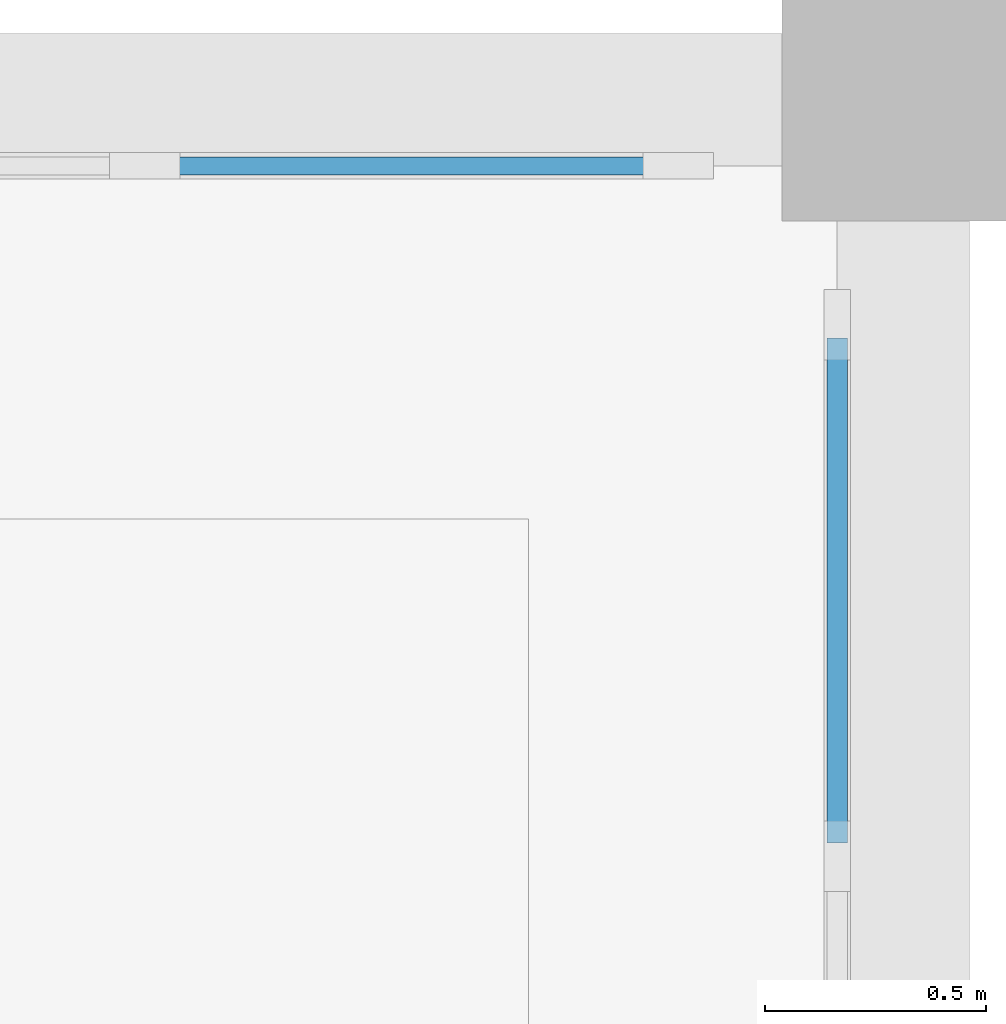
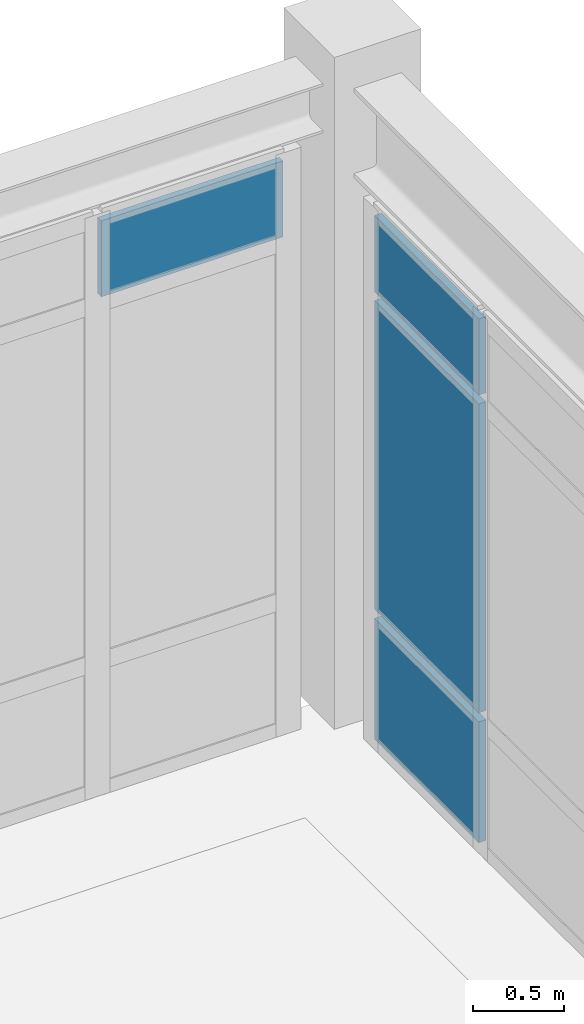
# One storey, part 77 of 106: 4 plates, 2 elements without a shape of their own.
"""IFC4 building model written with IfcOpenShell, lengths in metres."""

from ifc_helpers import new_model, si_unit, derived_unit, direction, frame, origin, origin_2d, place, context, subcontext, project, spatial, rectangle, extrude, material, layer, layer_set, type_object, element, aggregate, save


model = new_model("IFC4")

# Units and contexts
model_context = context("Model", 3, precision=1e-05, world=origin(), true_north=direction((0.0, 1.0)))
body_context = subcontext(model_context, "Body", "Model", "MODEL_VIEW")
ifc_project = project(units=[si_unit("LENGTHUNIT", "METRE"), si_unit("AREAUNIT", "SQUARE_METRE"), si_unit("VOLUMEUNIT", "CUBIC_METRE"), si_unit("PLANEANGLEUNIT", "RADIAN"), si_unit("MASSUNIT", "GRAM", prefix="KILO"), derived_unit("THERMALTRANSMITTANCEUNIT", [(si_unit("POWERUNIT", "WATT"), 1), (si_unit("AREAUNIT", "SQUARE_METRE"), -1), (si_unit("THERMODYNAMICTEMPERATUREUNIT", "KELVIN"), -1)])], contexts=[model_context])

# Site, building, storey
site_placement = place(None, origin())
site = spatial("IfcSite", under=ifc_project, at=site_placement, CompositionType="ELEMENT")
building_placement = place(site_placement, origin())
building = spatial("IfcBuilding", under=site, at=building_placement, Name="Yasenodar Specialist Clinic", CompositionType="ELEMENT")
storey_placement = place(building_placement, frame((0.0, 0.0, 4.5)))
storey = spatial("IfcBuildingStorey", under=building, at=storey_placement, Name="L01", CompositionType="ELEMENT", Elevation=4.5)

# Curtain wall, plate
ifc_material_1 = material(Name="Bronze Anodized Aluminium and Triple Low-E Glass", Category="aluminium")
ifc_layer_1 = layer(ifc_material_1, 0.178955078125)
ifc_layer_set_1 = layer_set([ifc_layer_1], Name="Bronze Anodized Aluminium and Triple Low-E Glass")
curtain_wall_type = type_object("IfcCurtainWallType", Name="CW-SYS-02", PredefinedType="USERDEFINED", material=ifc_layer_set_1)
curtain_wall_1_placement = place(storey_placement, origin())
curtain_wall_1 = element("IfcCurtainWall", 1, at=curtain_wall_1_placement, inside=storey, type_object=curtain_wall_type, Name="L01 Unitised Curtain Wall 098", ObjectType="UNITISED CURTAIN WALL", PredefinedType="USERDEFINED")
ifc_material_2 = material(Name="Triple Low-E Argon Glazing", Category="glass")
ifc_layer_2 = layer(ifc_material_2, 0.0400390625)
ifc_layer_set_2 = layer_set([ifc_layer_2], Name="Triple Low-E Argon Glazing")
plate_type_1 = type_object("IfcPlateType", Name="CW-PAN-3", PredefinedType="CURTAIN_PANEL", material=ifc_layer_set_2)
plate_1_placement = place(storey_placement, frame((137.485107421875, 34.64990234375, 3.328125), z_axis=(0.0, 0.0, 1.0), x_axis=(1.0, 0.0, 0.0)))
plate_1 = element("IfcPlate", 2, at=plate_1_placement, type_object=plate_type_1, Name="CW-02 panel 6.3", PredefinedType="CURTAIN_PANEL", context=body_context, shape_type="SweptSolid", body=[
    extrude(rectangle(XDim=1.14990234375, YDim=0.0400390625, at=origin_2d()), origin(), (0.0, 0.0, 1.0), 0.510009765625),
])
aggregate(curtain_wall_1, [plate_1])

# Curtain wall, plates
curtain_wall_2_placement = place(storey_placement, origin())
curtain_wall_2 = element("IfcCurtainWall", 3, at=curtain_wall_2_placement, inside=storey, type_object=curtain_wall_type, Name="L01 Unitised Curtain Wall 099", ObjectType="UNITISED CURTAIN WALL", PredefinedType="USERDEFINED")
ifc_layer_3 = layer(ifc_material_2, 0.0458984375)
ifc_layer_set_3 = layer_set([ifc_layer_3], Name="Triple Low-E Argon Glazing")
plate_type_2 = type_object("IfcPlateType", Name="CW-PAN-4", PredefinedType="CURTAIN_PANEL", material=ifc_layer_set_3)
plate_2_placement = place(storey_placement, frame((138.449951171875, 33.687744140625, 0.06005859375), z_axis=(0.0, 0.0, 1.0), x_axis=(0.0, -1.0, 0.0)))
plate_2 = element("IfcPlate", 4, at=plate_2_placement, type_object=plate_type_2, Name="CW-02 panel 1.1", PredefinedType="CURTAIN_PANEL", context=body_context, shape_type="SweptSolid", body=[
    extrude(rectangle(XDim=1.144287109375, YDim=0.0458984375, at=origin_2d()), origin(), (0.0, 0.0, 1.0), 0.81005859375),
])
plate_3_placement = place(storey_placement, frame((138.449951171875, 33.687744140625, 0.93017578125), z_axis=(0.0, 0.0, 1.0), x_axis=(0.0, -1.0, 0.0)))
plate_3 = element("IfcPlate", 5, at=plate_3_placement, type_object=plate_type_2, Name="CW-02 panel 1.2", PredefinedType="CURTAIN_PANEL", context=body_context, shape_type="SweptSolid", body=[
    extrude(rectangle(XDim=1.144287109375, YDim=0.0458984375, at=origin_2d()), origin(), (0.0, 0.0, 1.0), 2.068115234375),
])
plate_4_placement = place(storey_placement, frame((138.449951171875, 33.687744140625, 3.05810546875), z_axis=(0.0, 0.0, 1.0), x_axis=(0.0, -1.0, 0.0)))
plate_4 = element("IfcPlate", 6, at=plate_4_placement, type_object=plate_type_2, Name="CW-02 panel 1.3", PredefinedType="CURTAIN_PANEL", context=body_context, shape_type="SweptSolid", body=[
    extrude(rectangle(XDim=1.144287109375, YDim=0.0458984375, at=origin_2d()), origin(), (0.0, 0.0, 1.0), 0.510009765625),
])
aggregate(curtain_wall_2, [plate_2, plate_3, plate_4])

save(model, "model.ifc")
